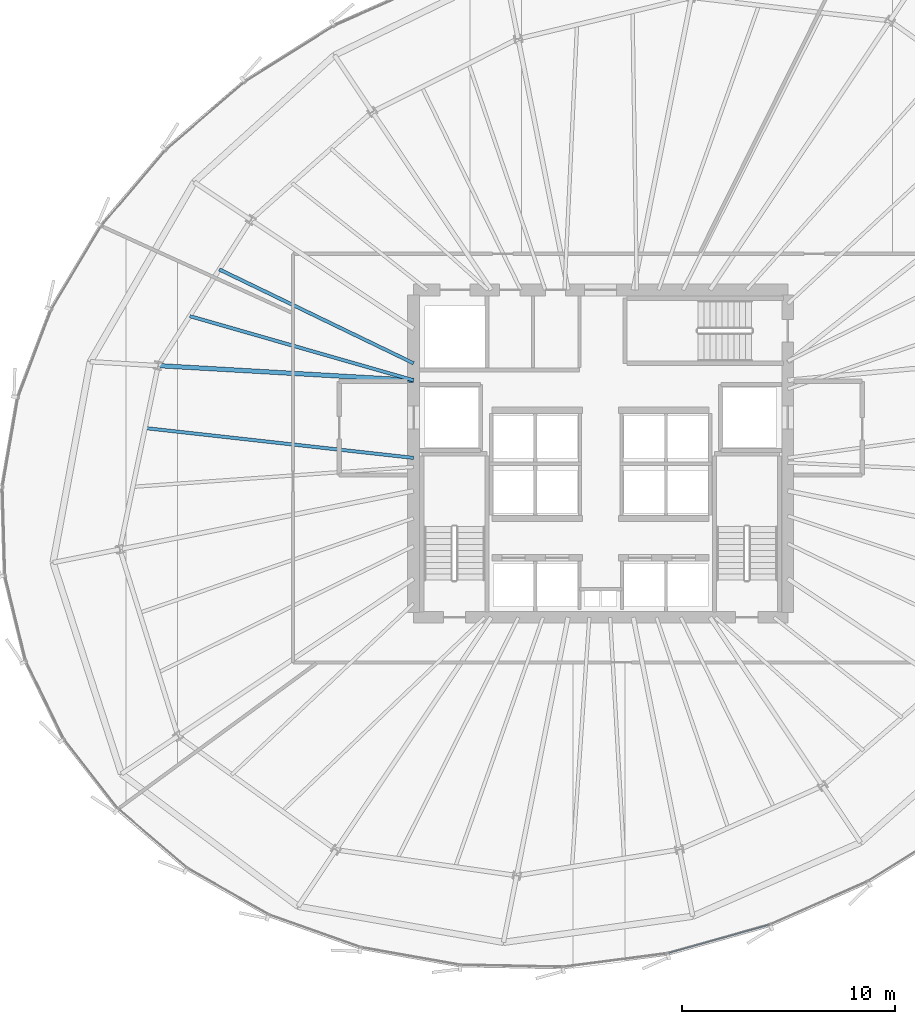
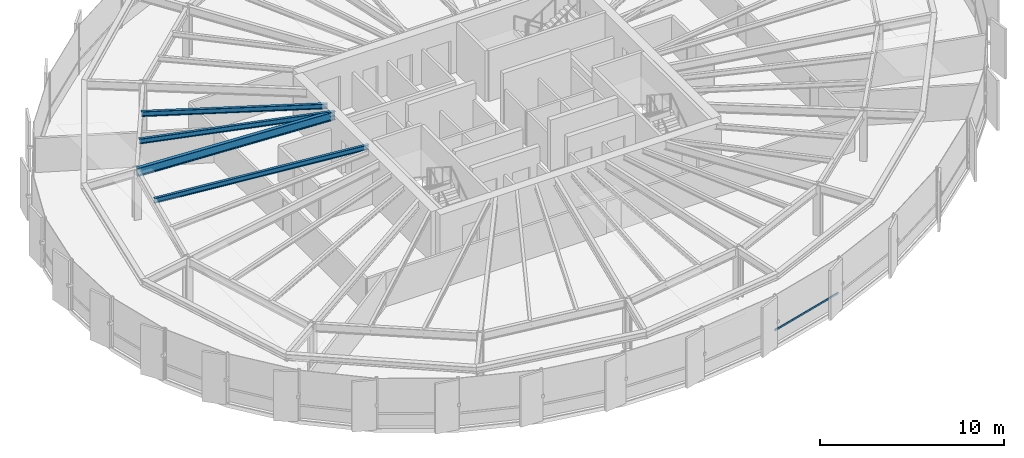
# One storey, part 11 of 33: 4 beams, 1 member, 1 element without a shape of its own.
"""IFC4 building model written with IfcOpenShell, lengths in metres."""

import ifcopenshell
import ifcopenshell.guid

model = None  # the IFC model being written
_history = None  # IfcOwnerHistory: only IFC2X3 demands one
_inside = {}  # id of a spatial element -> (the spatial element, [elements in it])
_under = {}  # id of a project, library or spatial element -> (it, [spatial elements below it])
_declared = {}  # id of a project -> (the project, [libraries it declares])
_typed = {}  # id of a type object -> (the type object, [elements of that type])
_made_of = {}  # id of a material, layer set ... -> (it, [elements and type objects made of it])


def new_model(schema):
    """Start an empty IFC model of exactly this schema.

    Asked for "IFC4X3", IfcOpenShell would pick the latest addendum, in which some entities
    have other attributes; the version numbers below select the first issue.
    IFC2X3 requires an IfcOwnerHistory on every rooted entity: one is made here for all.
    """
    global model, _history
    if schema == "IFC4X3":
        model = ifcopenshell.file(schema_version=(4, 3, 0, 0))
    else:
        model = ifcopenshell.file(schema=schema)
    _inside.clear()
    _under.clear()
    _declared.clear()
    _typed.clear()
    _made_of.clear()
    _history = None
    if model.schema == "IFC2X3":
        org = make("IfcOrganization", Name="unknown")
        user = make(
            "IfcPersonAndOrganization",
            ThePerson=make("IfcPerson", FamilyName="unknown"),
            TheOrganization=org,
        )
        app = make(
            "IfcApplication",
            ApplicationDeveloper=org,
            Version="unknown",
            ApplicationFullName="unknown",
            ApplicationIdentifier="unknown",
        )
        _history = make(
            "IfcOwnerHistory",
            OwningUser=user,
            OwningApplication=app,
            ChangeAction="ADDED",
            CreationDate=0,
        )
    return model


def make(cls, **values):
    """One entity of the class cls with the attributes given. An attribute that is None is left unset."""
    return model.create_entity(
        cls, **{name: value for name, value in values.items() if value is not None}
    )


def rooted(cls, **values):
    """An entity with a GlobalId (a new one), such as an element, a storey or a relation."""
    return make(cls, GlobalId=ifcopenshell.guid.new(), OwnerHistory=_history, **values)


def si_unit(unit_type, name, prefix=None):
    """IfcSIUnit, for example si_unit("LENGTHUNIT", "METRE", prefix="MILLI")."""
    return make("IfcSIUnit", UnitType=unit_type, Prefix=prefix, Name=name)


def assignment(units):
    """IfcUnitAssignment: the units of a project."""
    return None if units is None else make("IfcUnitAssignment", Units=units)


def point(xyz):
    """IfcCartesianPoint."""
    return None if xyz is None else make("IfcCartesianPoint", Coordinates=xyz)


def direction(xyz):
    """IfcDirection."""
    return None if xyz is None else make("IfcDirection", DirectionRatios=xyz)


def frame(location, z_axis=None, x_axis=None):
    """IfcAxis2Placement3D, a coordinate frame: its origin and axes. An axis left out is left unset."""
    return make(
        "IfcAxis2Placement3D",
        Location=point(location),
        Axis=direction(z_axis),
        RefDirection=direction(x_axis),
    )


def frame_2d(location, x_axis=None):
    """IfcAxis2Placement2D, a coordinate frame in the plane: its origin and x axis."""
    return make(
        "IfcAxis2Placement2D", Location=point(location), RefDirection=direction(x_axis)
    )


def origin():
    """The frame at (0, 0, 0) with its axes left unset."""
    return frame((0.0, 0.0, 0.0))


def origin_2d():
    """The frame at (0, 0) in the plane with its x axis left unset."""
    return frame_2d((0.0, 0.0))


def place(relative_to, where):
    """IfcLocalPlacement: puts the frame where relative to a parent placement (None: the world)."""
    return make(
        "IfcLocalPlacement", PlacementRelTo=relative_to, RelativePlacement=where
    )


def context(
    kind, dimensions, precision=None, world=None, true_north=None, identifier=None
):
    """IfcGeometricRepresentationContext, for example the 3D "Model" context."""
    return make(
        "IfcGeometricRepresentationContext",
        ContextIdentifier=identifier,
        ContextType=kind,
        CoordinateSpaceDimension=dimensions,
        Precision=precision,
        WorldCoordinateSystem=world,
        TrueNorth=true_north,
    )


def subcontext(parent, identifier, kind, view, scale=None):
    """IfcGeometricRepresentationSubContext, for example "Body" below "Model"."""
    return make(
        "IfcGeometricRepresentationSubContext",
        ContextIdentifier=identifier,
        ContextType=kind,
        ParentContext=parent,
        TargetScale=scale,
        TargetView=view,
    )


def project(units=None, contexts=None):
    """IfcProject with its units and contexts."""
    return rooted(
        "IfcProject",
        Name="project",
        RepresentationContexts=contexts,
        UnitsInContext=assignment(units),
    )


def spatial(cls, under=None, at=None, **own):
    """A site, building, storey or space (cls), placed at a placement, below another one or the project."""
    s = rooted(cls, ObjectPlacement=at, **own)
    if under is not None:
        _under.setdefault(under.id(), (under, []))[1].append(s)
    return s


def profile(cls, at=None, kind="AREA", **sizes):
    """A parametric profile (cls). Its sizes go by their IFC names, for example OverallWidth=200.0."""
    return make(cls, ProfileType=kind, Position=at, **sizes)


def hollow_rectangle(**sizes):
    """IfcRectangleHollowProfileDef."""
    return profile("IfcRectangleHollowProfileDef", **sizes)


def i_section(**sizes):
    """IfcIShapeProfileDef."""
    return profile("IfcIShapeProfileDef", **sizes)


def extrude(swept, where, along, depth):
    """IfcExtrudedAreaSolid: the profile swept, set in the frame where, extruded along a direction by depth."""
    return make(
        "IfcExtrudedAreaSolid",
        SweptArea=swept,
        Position=where,
        ExtrudedDirection=direction(along),
        Depth=depth,
    )


def shape(context_of_items, identifier, shape_type, items):
    """IfcShapeRepresentation: the items that make up one representation, for example the "Body"."""
    return make(
        "IfcShapeRepresentation",
        ContextOfItems=context_of_items,
        RepresentationIdentifier=identifier,
        RepresentationType=shape_type,
        Items=items,
    )


def source(mapping_origin, context_of_items, identifier, shape_type, items):
    """IfcRepresentationMap: a shape defined once, which mapped items show again and again."""
    return make(
        "IfcRepresentationMap",
        MappingOrigin=mapping_origin,
        MappedRepresentation=shape(context_of_items, identifier, shape_type, items),
    )


def transform(
    local_origin,
    x_axis=None,
    y_axis=None,
    z_axis=None,
    scale=None,
    scale2=None,
    scale3=None,
    uniform=True,
):
    """IfcCartesianTransformationOperator3D, or its non-uniform kind. x_axis, y_axis, z_axis: its Axis1, 2, 3."""
    if uniform:
        return make(
            "IfcCartesianTransformationOperator3D",
            Axis1=direction(x_axis),
            Axis2=direction(y_axis),
            LocalOrigin=point(local_origin),
            Scale=scale,
            Axis3=direction(z_axis),
        )
    return make(
        "IfcCartesianTransformationOperator3DnonUniform",
        Axis1=direction(x_axis),
        Axis2=direction(y_axis),
        LocalOrigin=point(local_origin),
        Scale=scale,
        Axis3=direction(z_axis),
        Scale2=scale2,
        Scale3=scale3,
    )


def mapped(mapping_source, mapping_target):
    """IfcMappedItem: shows the shape of a source again, moved by a transform."""
    return make(
        "IfcMappedItem", MappingSource=mapping_source, MappingTarget=mapping_target
    )


def material(Name=None, Category=None):
    """IfcMaterial."""
    return make("IfcMaterial", Name=Name, Category=Category)


def layer(
    of_material, thickness, ventilated=None, Name=None, Category=None, Priority=None
):
    """IfcMaterialLayer: one layer of a wall or slab, of a material (None: an air gap)."""
    return make(
        "IfcMaterialLayer",
        Material=of_material,
        LayerThickness=thickness,
        IsVentilated=ventilated,
        Name=Name,
        Category=Category,
        Priority=Priority,
    )


def layer_set(layers, Name=None):
    """IfcMaterialLayerSet."""
    return make("IfcMaterialLayerSet", MaterialLayers=layers, LayerSetName=Name)


def material_profile(
    of_material, cross_section, Name=None, Category=None, Priority=None
):
    """IfcMaterialProfile: a cross section and its material."""
    return make(
        "IfcMaterialProfile",
        Name=Name,
        Material=of_material,
        Profile=cross_section,
        Priority=Priority,
        Category=Category,
    )


def profile_set(profiles, Name=None, composite=None):
    """IfcMaterialProfileSet."""
    return make(
        "IfcMaterialProfileSet",
        Name=Name,
        MaterialProfiles=profiles,
        CompositeProfile=composite,
    )


def made_of(thing, what):
    """Note that an element or type object is made of a material, layer set ...; save() writes the relation."""
    if what is not None:
        _made_of.setdefault(what.id(), (what, []))[1].append(thing)
    return thing


def type_object(cls, material=None, **own):
    """A type object (cls), such as IfcWallType, which elements share."""
    return made_of(rooted(cls, **own), material)


def element(
    cls,
    number,
    at=None,
    inside=None,
    cuts=None,
    type_object=None,
    material=None,
    context=None,
    identifier="Body",
    shape_type=None,
    held_by="IfcProductDefinitionShape",
    body=None,
    shapes=None,
    **own,
):
    """One element of the class cls, such as IfcWall. Its Tag is "e" and its number.

    at: its placement. inside: the storey or other place that contains it. cuts: it is an
    opening in that element (IfcRelVoidsElement). A single representation is given by context,
    identifier, shape_type and body (its items); several are given by shapes. held_by: the class
    of the entity that holds the representations. save() writes the other relations.
    """
    e = rooted(cls, Tag="e%d" % number, ObjectPlacement=at, **own)
    if body is not None:
        shapes = [shape(context, identifier, shape_type, body)]
    if shapes is not None:
        e.Representation = make(held_by, Representations=shapes)
    if inside is not None:
        _inside.setdefault(inside.id(), (inside, []))[1].append(e)
    if cuts is not None:
        rooted(
            "IfcRelVoidsElement", RelatingBuildingElement=cuts, RelatedOpeningElement=e
        )
    if type_object is not None:
        _typed.setdefault(type_object.id(), (type_object, []))[1].append(e)
    return made_of(e, material)


def aggregate(whole, parts):
    """IfcRelAggregates: a whole, such as a stair, and the parts it consists of."""
    return rooted("IfcRelAggregates", RelatingObject=whole, RelatedObjects=parts)


def save(model, path):
    """Write the relations noted so far, then the file.

    IfcRelAggregates (storeys below a building ...), IfcRelContainedInSpatialStructure (elements
    in a storey), IfcRelDefinesByType, IfcRelAssociatesMaterial and IfcRelDeclares: one each for
    every whole, place, type object, material and project.
    """
    for whole, parts in _under.values():
        aggregate(whole, parts)
    for where, things in _inside.values():
        rooted(
            "IfcRelContainedInSpatialStructure",
            RelatedElements=things,
            RelatingStructure=where,
        )
    for kind, things in _typed.values():
        rooted("IfcRelDefinesByType", RelatedObjects=things, RelatingType=kind)
    for what, things in _made_of.values():
        rooted("IfcRelAssociatesMaterial", RelatedObjects=things, RelatingMaterial=what)
    for by, libraries in _declared.values():
        rooted("IfcRelDeclares", RelatingContext=by, RelatedDefinitions=libraries)
    model.write(path)


model = new_model("IFC4")

# Units and contexts
model_context = context("Model", 3, precision=1e-05, world=origin(), true_north=direction((0.0, 1.0)))
body_context = subcontext(model_context, "Body", "Model", "MODEL_VIEW")
ifc_project = project(units=[si_unit("LENGTHUNIT", "METRE"), si_unit("AREAUNIT", "SQUARE_METRE"), si_unit("VOLUMEUNIT", "CUBIC_METRE"), si_unit("PLANEANGLEUNIT", "RADIAN"), si_unit("MASSUNIT", "GRAM", prefix="KILO"), si_unit("THERMODYNAMICTEMPERATUREUNIT", "KELVIN")], contexts=[model_context])

# Site, building, storey
site_placement = place(None, origin())
site = spatial("IfcSite", under=ifc_project, at=site_placement, CompositionType="ELEMENT")
building_placement = place(site_placement, origin())
building = spatial("IfcBuilding", under=site, at=building_placement, Name="Kethvar Cultural Tower", CompositionType="ELEMENT")
storey_placement = place(building_placement, frame((0.0, 0.0, 114.39990234375)))
storey = spatial("IfcBuildingStorey", under=building, at=storey_placement, Name="L28", CompositionType="ELEMENT", Elevation=114.39990234375)

# Beams
ifc_material_1 = material(Name="Steel S355J2", Category="steel")
ifc_material_profile_1 = material_profile(ifc_material_1, i_section(OverallWidth=0.2099609375, OverallDepth=0.550048828125, WebThickness=0.010986328125, FlangeThickness=0.01708984375, FilletRadius=0.02392578125, at=origin_2d()), Name="Steel S355J2 — IPE550")
ifc_profile_set_1 = profile_set([ifc_material_profile_1], Name="Steel S355J2 — IPE550")
beam_type_1 = type_object("IfcBeamType", Name="BM-IPE550", PredefinedType="BEAM", material=ifc_profile_set_1)
shared_shape_1 = source(origin(), body_context, "Body", "SweptSolid", [
    extrude(i_section(OverallWidth=0.2099609375, OverallDepth=0.550048828125, WebThickness=0.010986328125, FlangeThickness=0.01708984375, FilletRadius=0.02392578125, at=origin_2d()), origin(), (0.0, 0.0, 1.0), 12.03125),
])
beam_1_placement = place(storey_placement, frame((38.0, 31.25, 3.072998046875), z_axis=(-0.998355544741, 0.057325441856, 0.0), x_axis=(-0.057325441856, -0.998355544741, 0.0)))
element("IfcBeam", 1, at=beam_1_placement, inside=storey, type_object=beam_type_1, Name="L28 Primary Radial Beam RB-08", PredefinedType="BEAM", context=body_context, shape_type="MappedRepresentation", body=[
    mapped(shared_shape_1, transform((0.0, 0.0, 0.0), scale=1.0)),
])
ifc_material_profile_2 = material_profile(ifc_material_1, i_section(OverallWidth=0.159912109375, OverallDepth=0.330078125, WebThickness=0.007568359375, FlangeThickness=0.011474609375, FilletRadius=0.01806640625, at=origin_2d()), Name="Steel S355J2 — IPE330")
ifc_profile_set_2 = profile_set([ifc_material_profile_2], Name="Steel S355J2 — IPE330")
beam_type_2 = type_object("IfcBeamType", Name="BM-J330", PredefinedType="JOIST", material=ifc_profile_set_2)
shared_shape_2 = source(origin(), body_context, "Body", "SweptSolid", [
    extrude(i_section(OverallWidth=0.159912109375, OverallDepth=0.330078125, WebThickness=0.007568359375, FlangeThickness=0.011474609375, FilletRadius=0.01806640625, at=origin_2d()), origin(), (0.0, 0.0, 1.0), 10.1455078125),
])
beam_2_placement = place(storey_placement, frame((38.0, 32.05078125, 3.18310546875), z_axis=(-0.90045122575, 0.434956997927, 0.0), x_axis=(-0.434956997927, -0.90045122575, 0.0)))
element("IfcBeam", 2, at=beam_2_placement, inside=storey, type_object=beam_type_2, Name="L28 Composite Floor Joist J-07A", PredefinedType="JOIST", context=body_context, shape_type="MappedRepresentation", body=[
    mapped(shared_shape_2, transform((0.0, 0.0, 0.0), scale=1.0)),
])
shared_shape_3 = source(origin(), body_context, "Body", "SweptSolid", [
    extrude(i_section(OverallWidth=0.159912109375, OverallDepth=0.330078125, WebThickness=0.007568359375, FlangeThickness=0.011474609375, FilletRadius=0.01806640625, at=origin_2d()), origin(), (0.0, 0.0, 1.0), 10.95458984375),
])
beam_3_placement = place(storey_placement, frame((38.0, 31.25, 3.18310546875), z_axis=(-0.96124170623, 0.275707058676, 0.0), x_axis=(-0.275707058676, -0.96124170623, 0.0)))
element("IfcBeam", 3, at=beam_3_placement, inside=storey, type_object=beam_type_2, Name="L28 Composite Floor Joist J-07B", PredefinedType="JOIST", context=body_context, shape_type="MappedRepresentation", body=[
    mapped(shared_shape_3, transform((0.0, 0.0, 0.0), scale=1.0)),
])
shared_shape_4 = source(origin(), body_context, "Body", "SweptSolid", [
    extrude(i_section(OverallWidth=0.159912109375, OverallDepth=0.330078125, WebThickness=0.007568359375, FlangeThickness=0.011474609375, FilletRadius=0.01806640625, at=origin_2d()), origin(), (0.0, 0.0, 1.0), 12.7021484375),
])
beam_4_placement = place(storey_placement, frame((38.0, 27.60009765625, 3.18310546875), z_axis=(-0.993884906591, 0.110420978309, 0.0), x_axis=(-0.110420978309, -0.993884906591, 0.0)))
element("IfcBeam", 4, at=beam_4_placement, inside=storey, type_object=beam_type_2, Name="L28 Composite Floor Joist J-08A", PredefinedType="JOIST", context=body_context, shape_type="MappedRepresentation", body=[
    mapped(shared_shape_4, transform((0.0, 0.0, 0.0), scale=1.0)),
])

# Curtain wall, member
ifc_material_2 = material(Name="Aluminium 6063-T6", Category="aluminium")
ifc_layer = layer(ifc_material_2, 0.179931640625, Name="Aluminium 6063-T6", Category="aluminium")
ifc_layer_set = layer_set([ifc_layer], Name="Aluminium 6063-T6 (180 mm)")
curtain_wall_type = type_object("IfcCurtainWallType", Name="CW-SYS-03-Z2", PredefinedType="NOTDEFINED", material=ifc_layer_set)
curtain_wall_placement = place(storey_placement, origin())
curtain_wall = element("IfcCurtainWall", 5, at=curtain_wall_placement, inside=storey, type_object=curtain_wall_type, Name="L28 Curtain Wall Run 05", PredefinedType="NOTDEFINED")
ifc_material_profile_3 = material_profile(ifc_material_2, hollow_rectangle(XDim=0.054931640625, YDim=0.1201171875, WallThickness=0.00390625, at=origin_2d()), Name="Aluminium 6063-T6 — RHS120x55x4")
ifc_profile_set_3 = profile_set([ifc_material_profile_3], Name="Aluminium 6063-T6 — RHS120x55x4")
member_type = type_object("IfcMemberType", Name="CW-SYS-03-Z2-TRN", PredefinedType="USERDEFINED", material=ifc_profile_set_3)
shared_shape_5 = source(origin(), body_context, "Body", "SweptSolid", [
    extrude(hollow_rectangle(XDim=0.054931640625, YDim=0.1201171875, WallThickness=0.00390625, at=origin_2d()), origin(), (0.0, 0.0, 1.0), 4.93603515625),
])
member_placement = place(storey_placement, frame((49.986328125, 4.312255859375, 0.9501953125), z_axis=(0.962705707832, 0.270550771776, 0.0), x_axis=(-0.270550771776, 0.962705707832, 0.0)))
member = element("IfcMember", 6, at=member_placement, type_object=member_type, Name="CW-L28-R05 Transom 3", ObjectType="TRANSOM", PredefinedType="USERDEFINED", context=body_context, shape_type="MappedRepresentation", body=[
    mapped(shared_shape_5, transform((0.0, 0.0, 0.0), scale=1.0)),
])
aggregate(curtain_wall, [member])

save(model, "model.ifc")
